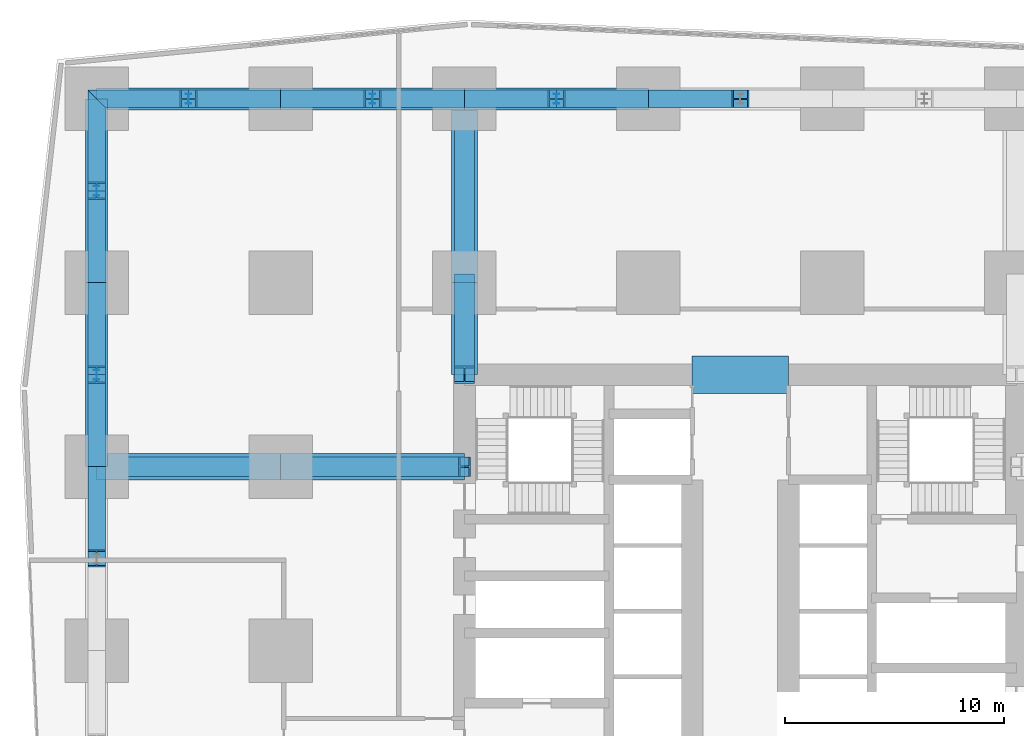
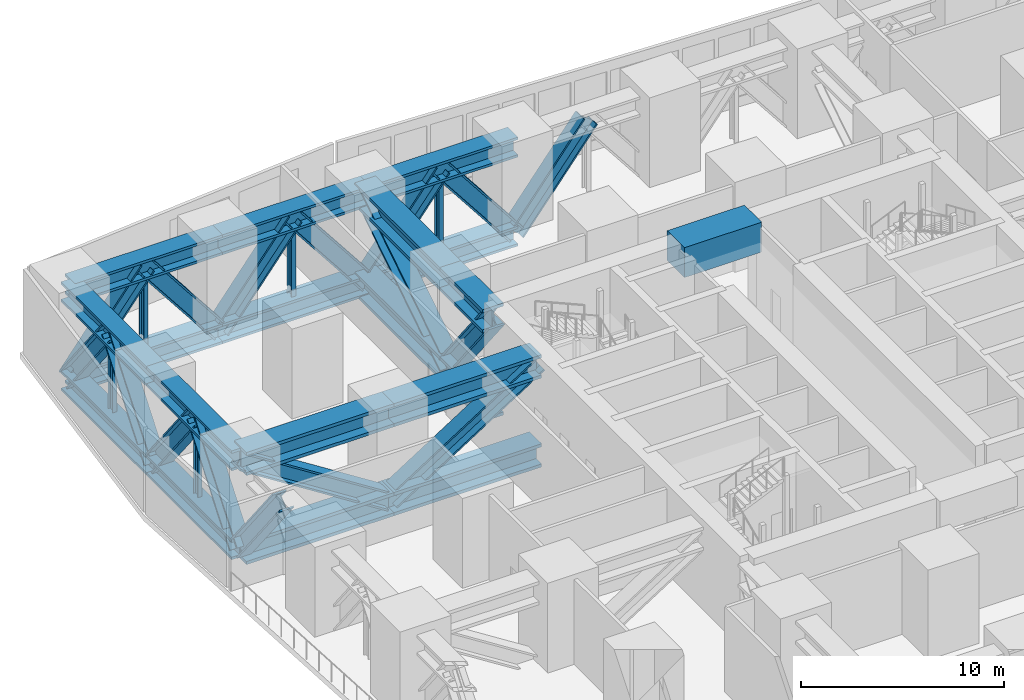
# One storey, part 6 of 16: 39 members, 1 beam.
"""IFC4 building model written with IfcOpenShell, lengths in metres."""

import ifcopenshell
import ifcopenshell.guid

model = None  # the IFC model being written
_history = None  # IfcOwnerHistory: only IFC2X3 demands one
_inside = {}  # id of a spatial element -> (the spatial element, [elements in it])
_under = {}  # id of a project, library or spatial element -> (it, [spatial elements below it])
_declared = {}  # id of a project -> (the project, [libraries it declares])
_typed = {}  # id of a type object -> (the type object, [elements of that type])
_made_of = {}  # id of a material, layer set ... -> (it, [elements and type objects made of it])


def new_model(schema):
    """Start an empty IFC model of exactly this schema.

    Asked for "IFC4X3", IfcOpenShell would pick the latest addendum, in which some entities
    have other attributes; the version numbers below select the first issue.
    IFC2X3 requires an IfcOwnerHistory on every rooted entity: one is made here for all.
    """
    global model, _history
    if schema == "IFC4X3":
        model = ifcopenshell.file(schema_version=(4, 3, 0, 0))
    else:
        model = ifcopenshell.file(schema=schema)
    _inside.clear()
    _under.clear()
    _declared.clear()
    _typed.clear()
    _made_of.clear()
    _history = None
    if model.schema == "IFC2X3":
        org = make("IfcOrganization", Name="unknown")
        user = make(
            "IfcPersonAndOrganization",
            ThePerson=make("IfcPerson", FamilyName="unknown"),
            TheOrganization=org,
        )
        app = make(
            "IfcApplication",
            ApplicationDeveloper=org,
            Version="unknown",
            ApplicationFullName="unknown",
            ApplicationIdentifier="unknown",
        )
        _history = make(
            "IfcOwnerHistory",
            OwningUser=user,
            OwningApplication=app,
            ChangeAction="ADDED",
            CreationDate=0,
        )
    return model


def make(cls, **values):
    """One entity of the class cls with the attributes given. An attribute that is None is left unset."""
    return model.create_entity(
        cls, **{name: value for name, value in values.items() if value is not None}
    )


def rooted(cls, **values):
    """An entity with a GlobalId (a new one), such as an element, a storey or a relation."""
    return make(cls, GlobalId=ifcopenshell.guid.new(), OwnerHistory=_history, **values)


def si_unit(unit_type, name, prefix=None):
    """IfcSIUnit, for example si_unit("LENGTHUNIT", "METRE", prefix="MILLI")."""
    return make("IfcSIUnit", UnitType=unit_type, Prefix=prefix, Name=name)


def assignment(units):
    """IfcUnitAssignment: the units of a project."""
    return None if units is None else make("IfcUnitAssignment", Units=units)


def point(xyz):
    """IfcCartesianPoint."""
    return None if xyz is None else make("IfcCartesianPoint", Coordinates=xyz)


def direction(xyz):
    """IfcDirection."""
    return None if xyz is None else make("IfcDirection", DirectionRatios=xyz)


def frame(location, z_axis=None, x_axis=None):
    """IfcAxis2Placement3D, a coordinate frame: its origin and axes. An axis left out is left unset."""
    return make(
        "IfcAxis2Placement3D",
        Location=point(location),
        Axis=direction(z_axis),
        RefDirection=direction(x_axis),
    )


def frame_2d(location, x_axis=None):
    """IfcAxis2Placement2D, a coordinate frame in the plane: its origin and x axis."""
    return make(
        "IfcAxis2Placement2D", Location=point(location), RefDirection=direction(x_axis)
    )


def origin():
    """The frame at (0, 0, 0) with its axes left unset."""
    return frame((0.0, 0.0, 0.0))


def origin_2d():
    """The frame at (0, 0) in the plane with its x axis left unset."""
    return frame_2d((0.0, 0.0))


def place(relative_to, where):
    """IfcLocalPlacement: puts the frame where relative to a parent placement (None: the world)."""
    return make(
        "IfcLocalPlacement", PlacementRelTo=relative_to, RelativePlacement=where
    )


def context(
    kind, dimensions, precision=None, world=None, true_north=None, identifier=None
):
    """IfcGeometricRepresentationContext, for example the 3D "Model" context."""
    return make(
        "IfcGeometricRepresentationContext",
        ContextIdentifier=identifier,
        ContextType=kind,
        CoordinateSpaceDimension=dimensions,
        Precision=precision,
        WorldCoordinateSystem=world,
        TrueNorth=true_north,
    )


def subcontext(parent, identifier, kind, view, scale=None):
    """IfcGeometricRepresentationSubContext, for example "Body" below "Model"."""
    return make(
        "IfcGeometricRepresentationSubContext",
        ContextIdentifier=identifier,
        ContextType=kind,
        ParentContext=parent,
        TargetScale=scale,
        TargetView=view,
    )


def project(units=None, contexts=None):
    """IfcProject with its units and contexts."""
    return rooted(
        "IfcProject",
        Name="project",
        RepresentationContexts=contexts,
        UnitsInContext=assignment(units),
    )


def spatial(cls, under=None, at=None, **own):
    """A site, building, storey or space (cls), placed at a placement, below another one or the project."""
    s = rooted(cls, ObjectPlacement=at, **own)
    if under is not None:
        _under.setdefault(under.id(), (under, []))[1].append(s)
    return s


def profile(cls, at=None, kind="AREA", **sizes):
    """A parametric profile (cls). Its sizes go by their IFC names, for example OverallWidth=200.0."""
    return make(cls, ProfileType=kind, Position=at, **sizes)


def rectangle(**sizes):
    """IfcRectangleProfileDef."""
    return profile("IfcRectangleProfileDef", **sizes)


def i_section(**sizes):
    """IfcIShapeProfileDef."""
    return profile("IfcIShapeProfileDef", **sizes)


def extrude(swept, where, along, depth):
    """IfcExtrudedAreaSolid: the profile swept, set in the frame where, extruded along a direction by depth."""
    return make(
        "IfcExtrudedAreaSolid",
        SweptArea=swept,
        Position=where,
        ExtrudedDirection=direction(along),
        Depth=depth,
    )


def shape(context_of_items, identifier, shape_type, items):
    """IfcShapeRepresentation: the items that make up one representation, for example the "Body"."""
    return make(
        "IfcShapeRepresentation",
        ContextOfItems=context_of_items,
        RepresentationIdentifier=identifier,
        RepresentationType=shape_type,
        Items=items,
    )


def material(Name=None, Category=None):
    """IfcMaterial."""
    return make("IfcMaterial", Name=Name, Category=Category)


def material_profile(
    of_material, cross_section, Name=None, Category=None, Priority=None
):
    """IfcMaterialProfile: a cross section and its material."""
    return make(
        "IfcMaterialProfile",
        Name=Name,
        Material=of_material,
        Profile=cross_section,
        Priority=Priority,
        Category=Category,
    )


def profile_set(profiles, Name=None, composite=None):
    """IfcMaterialProfileSet."""
    return make(
        "IfcMaterialProfileSet",
        Name=Name,
        MaterialProfiles=profiles,
        CompositeProfile=composite,
    )


def made_of(thing, what):
    """Note that an element or type object is made of a material, layer set ...; save() writes the relation."""
    if what is not None:
        _made_of.setdefault(what.id(), (what, []))[1].append(thing)
    return thing


def type_object(cls, material=None, **own):
    """A type object (cls), such as IfcWallType, which elements share."""
    return made_of(rooted(cls, **own), material)


def element(
    cls,
    number,
    at=None,
    inside=None,
    cuts=None,
    type_object=None,
    material=None,
    context=None,
    identifier="Body",
    shape_type=None,
    held_by="IfcProductDefinitionShape",
    body=None,
    shapes=None,
    **own,
):
    """One element of the class cls, such as IfcWall. Its Tag is "e" and its number.

    at: its placement. inside: the storey or other place that contains it. cuts: it is an
    opening in that element (IfcRelVoidsElement). A single representation is given by context,
    identifier, shape_type and body (its items); several are given by shapes. held_by: the class
    of the entity that holds the representations. save() writes the other relations.
    """
    e = rooted(cls, Tag="e%d" % number, ObjectPlacement=at, **own)
    if body is not None:
        shapes = [shape(context, identifier, shape_type, body)]
    if shapes is not None:
        e.Representation = make(held_by, Representations=shapes)
    if inside is not None:
        _inside.setdefault(inside.id(), (inside, []))[1].append(e)
    if cuts is not None:
        rooted(
            "IfcRelVoidsElement", RelatingBuildingElement=cuts, RelatedOpeningElement=e
        )
    if type_object is not None:
        _typed.setdefault(type_object.id(), (type_object, []))[1].append(e)
    return made_of(e, material)


def aggregate(whole, parts):
    """IfcRelAggregates: a whole, such as a stair, and the parts it consists of."""
    return rooted("IfcRelAggregates", RelatingObject=whole, RelatedObjects=parts)


def save(model, path):
    """Write the relations noted so far, then the file.

    IfcRelAggregates (storeys below a building ...), IfcRelContainedInSpatialStructure (elements
    in a storey), IfcRelDefinesByType, IfcRelAssociatesMaterial and IfcRelDeclares: one each for
    every whole, place, type object, material and project.
    """
    for whole, parts in _under.values():
        aggregate(whole, parts)
    for where, things in _inside.values():
        rooted(
            "IfcRelContainedInSpatialStructure",
            RelatedElements=things,
            RelatingStructure=where,
        )
    for kind, things in _typed.values():
        rooted("IfcRelDefinesByType", RelatedObjects=things, RelatingType=kind)
    for what, things in _made_of.values():
        rooted("IfcRelAssociatesMaterial", RelatedObjects=things, RelatingMaterial=what)
    for by, libraries in _declared.values():
        rooted("IfcRelDeclares", RelatingContext=by, RelatedDefinitions=libraries)
    model.write(path)


model = new_model("IFC4")

# Units and contexts
model_context = context("Model", 3, precision=1e-05, world=origin(), true_north=direction((0.0, 1.0)))
body_context = subcontext(model_context, "Body", "Model", "MODEL_VIEW")
ifc_project = project(units=[si_unit("LENGTHUNIT", "METRE"), si_unit("AREAUNIT", "SQUARE_METRE"), si_unit("VOLUMEUNIT", "CUBIC_METRE"), si_unit("PLANEANGLEUNIT", "RADIAN"), si_unit("MASSUNIT", "GRAM", prefix="KILO")], contexts=[model_context])

# Site, building, storey
site_placement = place(None, origin())
site = spatial("IfcSite", under=ifc_project, at=site_placement, CompositionType="ELEMENT")
building_placement = place(site_placement, origin())
building = spatial("IfcBuilding", under=site, at=building_placement, Name="Rekha Terrace Tower", CompositionType="ELEMENT")
storey_placement = place(building_placement, frame((0.0, 0.0, 85.39990234375)))
storey = spatial("IfcBuildingStorey", under=building, at=storey_placement, Name="L21", CompositionType="ELEMENT", Elevation=85.39990234375)

# Members
ifc_material_1 = material(Name="Steel E350", Category="steel")
ifc_material_profile_1 = material_profile(ifc_material_1, i_section(OverallWidth=1.0, OverallDepth=1.199951171875, WebThickness=0.110107421875, FlangeThickness=0.14990234375, at=origin_2d()), Name="BU 1200x1000x110x150")
ifc_profile_set_1 = profile_set([ifc_material_profile_1], Name="Steel E350")
member_type_1 = type_object("IfcMemberType", Name="BC21 BU 1200x1000x110x150 belt truss chord", PredefinedType="CHORD", material=ifc_profile_set_1)
for number, where, z_axis, x_axis, name in (
    (1, (33.60009765625, 58.800048828125, 4.300048828125), (-1.0, 0.0, 0.0), (0.0, -1.0, 0.0), "Belt top chord 5H-4H L21"),
    (2, (33.60009765625, 58.800048828125, -1.0498046875), (-1.0, 0.0, 0.0), (0.0, -1.0, 0.0), "Belt bottom chord 5H-4H L21"),
):
    element("IfcMember", number, at=place(storey_placement, frame(where, z_axis=z_axis, x_axis=x_axis)), inside=storey, type_object=member_type_1, Name=name, PredefinedType="CHORD", context=body_context, shape_type="SweptSolid", body=[
        extrude(i_section(OverallWidth=1.0, OverallDepth=1.199951171875, WebThickness=0.110107421875, FlangeThickness=0.14990234375, at=origin_2d()), origin(), (0.0, 0.0, 1.0), 8.400146484375),
    ])
for number, where, z_axis, x_axis, name in (
    (3, (25.199951171875, 58.800048828125, 4.300048828125), (-1.0, 0.0, 0.0), (0.0, -1.0, 0.0), "Belt top chord 4H-3H L21"),
    (4, (25.199951171875, 58.800048828125, -1.0498046875), (-1.0, 0.0, 0.0), (0.0, -1.0, 0.0), "Belt bottom chord 4H-3H L21"),
):
    element("IfcMember", number, at=place(storey_placement, frame(where, z_axis=z_axis, x_axis=x_axis)), inside=storey, type_object=member_type_1, Name=name, PredefinedType="CHORD", context=body_context, shape_type="SweptSolid", body=[
        extrude(i_section(OverallWidth=1.0, OverallDepth=1.199951171875, WebThickness=0.110107421875, FlangeThickness=0.14990234375, at=origin_2d()), origin(), (0.0, 0.0, 1.0), 8.39990234375),
    ])
for number, where, z_axis, x_axis, name in (
    (5, (16.800048828125, 58.800048828125, 4.300048828125), (-1.0, 0.0, 0.0), (0.0, -1.0, 0.0), "Belt top chord 3H-2H L21"),
    (6, (16.800048828125, 58.800048828125, -1.0498046875), (-1.0, 0.0, 0.0), (0.0, -1.0, 0.0), "Belt bottom chord 3H-2H L21"),
    (7, (8.39990234375, 58.800048828125, 4.300048828125), (0.0, -1.0, 0.0), (1.0, 0.0, 0.0), "Belt top chord 2H-2G L21"),
    (8, (8.39990234375, 58.800048828125, -1.0498046875), (0.0, -1.0, 0.0), (1.0, 0.0, 0.0), "Belt bottom chord 2H-2G L21"),
):
    element("IfcMember", number, at=place(storey_placement, frame(where, z_axis=z_axis, x_axis=x_axis)), inside=storey, type_object=member_type_1, Name=name, PredefinedType="CHORD", context=body_context, shape_type="SweptSolid", body=[
        extrude(i_section(OverallWidth=1.0, OverallDepth=1.199951171875, WebThickness=0.110107421875, FlangeThickness=0.14990234375, at=origin_2d()), origin(), (0.0, 0.0, 1.0), 8.400146484375),
    ])
for number, where, z_axis, x_axis, name in (
    (9, (8.39990234375, 50.39990234375, 4.300048828125), (0.0, -1.0, 0.0), (1.0, 0.0, 0.0), "Belt top chord 2G-2F L21"),
    (10, (8.39990234375, 50.39990234375, -1.0498046875), (0.0, -1.0, 0.0), (1.0, 0.0, 0.0), "Belt bottom chord 2G-2F L21"),
):
    element("IfcMember", number, at=place(storey_placement, frame(where, z_axis=z_axis, x_axis=x_axis)), inside=storey, type_object=member_type_1, Name=name, PredefinedType="CHORD", context=body_context, shape_type="SweptSolid", body=[
        extrude(i_section(OverallWidth=1.0, OverallDepth=1.199951171875, WebThickness=0.110107421875, FlangeThickness=0.14990234375, at=origin_2d()), origin(), (0.0, 0.0, 1.0), 8.39990234375),
    ])
ifc_material_profile_2 = material_profile(ifc_material_1, i_section(OverallWidth=0.800048828125, OverallDepth=1.0, WebThickness=0.050048828125, FlangeThickness=0.090087890625, at=origin_2d()), Name="BU 1000x800x50x90")
ifc_profile_set_2 = profile_set([ifc_material_profile_2], Name="Steel E350")
member_type_2 = type_object("IfcMemberType", Name="BD21 BU 1000x800x50x90 belt truss diagonal", PredefinedType="BRACE", material=ifc_profile_set_2)
member_1_placement = place(storey_placement, frame((33.60009765625, 58.800048828125, -1.0498046875), z_axis=(0.617502861702, 0.0, 0.786568633871), x_axis=(0.0, 1.0, 0.0)))
element("IfcMember", 11, at=member_1_placement, inside=storey, type_object=member_type_2, Name="Belt diagonal 6H-5H L21", PredefinedType="BRACE", context=body_context, shape_type="SweptSolid", body=[
    extrude(i_section(OverallWidth=0.800048828125, OverallDepth=1.0, WebThickness=0.050048828125, FlangeThickness=0.090087890625, at=origin_2d()), origin(), (0.0, 0.0, 1.0), 6.801513671875),
])
member_2_placement = place(storey_placement, frame((33.60009765625, 58.800048828125, -1.0498046875), z_axis=(-0.617525068892, 0.0, 0.786551199408), x_axis=(0.0, -1.0, 0.0)))
element("IfcMember", 12, at=member_2_placement, inside=storey, type_object=member_type_2, Name="Belt diagonal 5H-4H L21", PredefinedType="BRACE", context=body_context, shape_type="SweptSolid", body=[
    extrude(i_section(OverallWidth=0.800048828125, OverallDepth=1.0, WebThickness=0.050048828125, FlangeThickness=0.090087890625, at=origin_2d()), origin(), (0.0, 0.0, 1.0), 6.8017578125),
])
for number, where, z_axis, x_axis, name in (
    (13, (25.199951171875, 58.800048828125, -1.0498046875), (0.617502861702, 0.0, 0.786568633871), (0.0, 1.0, 0.0), "Belt diagonal 5H-4H L21"),
    (14, (25.199951171875, 58.800048828125, -1.0498046875), (-0.617502861702, 0.0, 0.786568633871), (0.0, -1.0, 0.0), "Belt diagonal 4H-3H L21"),
    (15, (16.800048828125, 58.800048828125, -1.0498046875), (0.617502861702, 0.0, 0.786568633871), (0.0, 1.0, 0.0), "Belt diagonal 4H-3H L21"),
    (16, (16.800048828125, 58.800048828125, -1.0498046875), (-0.617502861702, 0.0, 0.786568633871), (0.0, -1.0, 0.0), "Belt diagonal 3H-2H L21"),
):
    element("IfcMember", number, at=place(storey_placement, frame(where, z_axis=z_axis, x_axis=x_axis)), inside=storey, type_object=member_type_2, Name=name, PredefinedType="BRACE", context=body_context, shape_type="SweptSolid", body=[
        extrude(i_section(OverallWidth=0.800048828125, OverallDepth=1.0, WebThickness=0.050048828125, FlangeThickness=0.090087890625, at=origin_2d()), origin(), (0.0, 0.0, 1.0), 6.801513671875),
    ])
member_3_placement = place(storey_placement, frame((8.39990234375, 58.800048828125, -1.0498046875), z_axis=(0.617525068892, 0.0, 0.786551199408), x_axis=(0.0, 1.0, 0.0)))
element("IfcMember", 17, at=member_3_placement, inside=storey, type_object=member_type_2, Name="Belt diagonal 3H-2H L21", PredefinedType="BRACE", context=body_context, shape_type="SweptSolid", body=[
    extrude(i_section(OverallWidth=0.800048828125, OverallDepth=1.0, WebThickness=0.050048828125, FlangeThickness=0.090087890625, at=origin_2d()), origin(), (0.0, 0.0, 1.0), 6.8017578125),
])
member_4_placement = place(storey_placement, frame((8.39990234375, 58.800048828125, -1.0498046875), z_axis=(0.0, -0.617502861702, 0.786568633871), x_axis=(1.0, 0.0, 0.0)))
element("IfcMember", 18, at=member_4_placement, inside=storey, type_object=member_type_2, Name="Belt diagonal 2H-2G L21", PredefinedType="BRACE", context=body_context, shape_type="SweptSolid", body=[
    extrude(i_section(OverallWidth=0.800048828125, OverallDepth=1.0, WebThickness=0.050048828125, FlangeThickness=0.090087890625, at=origin_2d()), origin(), (0.0, 0.0, 1.0), 6.801513671875),
])
member_5_placement = place(storey_placement, frame((8.39990234375, 50.39990234375, -1.0498046875), z_axis=(0.0, 0.617525068892, 0.786551199408), x_axis=(-1.0, 0.0, 0.0)))
element("IfcMember", 19, at=member_5_placement, inside=storey, type_object=member_type_2, Name="Belt diagonal 2H-2G L21", PredefinedType="BRACE", context=body_context, shape_type="SweptSolid", body=[
    extrude(i_section(OverallWidth=0.800048828125, OverallDepth=1.0, WebThickness=0.050048828125, FlangeThickness=0.090087890625, at=origin_2d()), origin(), (0.0, 0.0, 1.0), 6.8017578125),
])
for number, where, z_axis, x_axis, name in (
    (20, (8.39990234375, 50.39990234375, -1.0498046875), (0.0, -0.617502861702, 0.786568633871), (1.0, 0.0, 0.0), "Belt diagonal 2G-2F L21"),
    (21, (8.39990234375, 42.0, -1.0498046875), (0.0, 0.617502861702, 0.786568633871), (-1.0, 0.0, 0.0), "Belt diagonal 2G-2F L21"),
    (22, (8.39990234375, 42.0, -1.0498046875), (0.0, -0.617502861702, 0.786568633871), (1.0, 0.0, 0.0), "Belt diagonal 2F-2E L21"),
):
    element("IfcMember", number, at=place(storey_placement, frame(where, z_axis=z_axis, x_axis=x_axis)), inside=storey, type_object=member_type_2, Name=name, PredefinedType="BRACE", context=body_context, shape_type="SweptSolid", body=[
        extrude(i_section(OverallWidth=0.800048828125, OverallDepth=1.0, WebThickness=0.050048828125, FlangeThickness=0.090087890625, at=origin_2d()), origin(), (0.0, 0.0, 1.0), 6.801513671875),
    ])
ifc_material_profile_3 = material_profile(ifc_material_1, i_section(OverallWidth=0.25, OverallDepth=0.449951171875, WebThickness=0.01123046875, FlangeThickness=0.017333984375, FilletRadius=0.014892578125, at=origin_2d()), Name="ISHB 450")
ifc_profile_set_3 = profile_set([ifc_material_profile_3], Name="Steel E350")
member_type_3 = type_object("IfcMemberType", Name="BV21 ISHB 450 belt truss post", PredefinedType="POST", material=ifc_profile_set_3)
for number, where, z_axis, x_axis, name in (
    (23, (29.39990234375, 58.800048828125, -0.449951171875), (0.0, 0.0, 1.0), (1.0, 0.0, 0.0), "Belt post 5H-4H L21"),
    (24, (21.0, 58.800048828125, -0.449951171875), (0.0, 0.0, 1.0), (1.0, 0.0, 0.0), "Belt post 4H-3H L21"),
    (25, (12.60009765625, 58.800048828125, -0.449951171875), (0.0, 0.0, 1.0), (1.0, 0.0, 0.0), "Belt post 3H-2H L21"),
    (26, (8.39990234375, 54.60009765625, -0.449951171875), (0.0, 0.0, 1.0), (1.0, 0.0, 0.0), "Belt post 2H-2G L21"),
    (27, (8.39990234375, 46.199951171875, -0.449951171875), (0.0, 0.0, 1.0), (1.0, 0.0, 0.0), "Belt post 2G-2F L21"),
):
    element("IfcMember", number, at=place(storey_placement, frame(where, z_axis=z_axis, x_axis=x_axis)), inside=storey, type_object=member_type_3, Name=name, PredefinedType="POST", context=body_context, shape_type="SweptSolid", body=[
        extrude(i_section(OverallWidth=0.25, OverallDepth=0.449951171875, WebThickness=0.01123046875, FlangeThickness=0.017333984375, FilletRadius=0.014892578125, at=origin_2d()), origin(), (0.0, 0.0, 1.0), 4.150146484375),
    ])

# Beam
ifc_material_2 = material(Name="Concrete M70", Category="concrete")
ifc_material_profile_4 = material_profile(ifc_material_2, rectangle(XDim=1.699951171875, YDim=1.800048828125, at=origin_2d()), Name="RC 1700x1800")
ifc_profile_set_4 = profile_set([ifc_material_profile_4], Name="Concrete M70")
beam_type = type_object("IfcBeamType", Name="LB2B 1700x1800 diagonally reinforced coupling beam", PredefinedType="LINTEL", material=ifc_profile_set_4)
beam_placement = place(storey_placement, frame((35.60009765625, 46.199951171875, 4.5), z_axis=(1.0, 0.0, 0.0), x_axis=(0.0, 1.0, 0.0)))
element("IfcBeam", 28, at=beam_placement, inside=storey, type_object=beam_type, Name="Coupling beam LB2B N L21", PredefinedType="LINTEL", context=body_context, shape_type="SweptSolid", body=[
    extrude(rectangle(XDim=1.699951171875, YDim=1.800048828125, at=origin_2d()), origin(), (0.0, 0.0, 1.0), 4.39990234375),
])

# Members
ifc_material_profile_5 = material_profile(ifc_material_1, i_section(OverallWidth=1.199951171875, OverallDepth=1.39990234375, WebThickness=0.139892578125, FlangeThickness=0.18994140625, at=origin_2d()), Name="BU 1400x1200x140x190")
ifc_profile_set_5 = profile_set([ifc_material_profile_5], Name="Steel E350")
member_type_4 = type_object("IfcMemberType", Name="OC21 BU 1400x1200x140x190 outrigger chord", PredefinedType="CHORD", material=ifc_profile_set_5)
for number, where, z_axis, x_axis, name in (
    (29, (25.199951171875, 42.0, 4.300048828125), (-1.0, 0.0, 0.0), (0.0, -1.0, 0.0), "Outrigger top chord WF-1 L21"),
    (30, (25.199951171875, 42.0, -1.0498046875), (-1.0, 0.0, 0.0), (0.0, -1.0, 0.0), "Outrigger bottom chord WF-1 L21"),
):
    element("IfcMember", number, at=place(storey_placement, frame(where, z_axis=z_axis, x_axis=x_axis)), inside=storey, type_object=member_type_4, Name=name, PredefinedType="CHORD", context=body_context, shape_type="SweptSolid", body=[
        extrude(i_section(OverallWidth=1.199951171875, OverallDepth=1.39990234375, WebThickness=0.139892578125, FlangeThickness=0.18994140625, at=origin_2d()), origin(), (0.0, 0.0, 1.0), 8.39990234375),
    ])
for number, where, z_axis, x_axis, name in (
    (31, (16.800048828125, 42.0, 4.300048828125), (-1.0, 0.0, 0.0), (0.0, -1.0, 0.0), "Outrigger top chord WF-2 L21"),
    (32, (16.800048828125, 42.0, -1.0498046875), (-1.0, 0.0, 0.0), (0.0, -1.0, 0.0), "Outrigger bottom chord WF-2 L21"),
):
    element("IfcMember", number, at=place(storey_placement, frame(where, z_axis=z_axis, x_axis=x_axis)), inside=storey, type_object=member_type_4, Name=name, PredefinedType="CHORD", context=body_context, shape_type="SweptSolid", body=[
        extrude(i_section(OverallWidth=1.199951171875, OverallDepth=1.39990234375, WebThickness=0.139892578125, FlangeThickness=0.18994140625, at=origin_2d()), origin(), (0.0, 0.0, 1.0), 8.400146484375),
    ])
for number, where, z_axis, x_axis, name in (
    (33, (25.199951171875, 46.199951171875, 4.300048828125), (0.0, 1.0, 0.0), (-1.0, 0.0, 0.0), "Outrigger top chord N4-1 L21"),
    (34, (25.199951171875, 46.199951171875, -1.0498046875), (0.0, 1.0, 0.0), (-1.0, 0.0, 0.0), "Outrigger bottom chord N4-1 L21"),
):
    element("IfcMember", number, at=place(storey_placement, frame(where, z_axis=z_axis, x_axis=x_axis)), inside=storey, type_object=member_type_4, Name=name, PredefinedType="CHORD", context=body_context, shape_type="SweptSolid", body=[
        extrude(i_section(OverallWidth=1.199951171875, OverallDepth=1.39990234375, WebThickness=0.139892578125, FlangeThickness=0.18994140625, at=origin_2d()), origin(), (0.0, 0.0, 1.0), 4.199951171875),
    ])
for number, where, z_axis, x_axis, name in (
    (35, (25.199951171875, 50.39990234375, 4.300048828125), (0.0, 1.0, 0.0), (-1.0, 0.0, 0.0), "Outrigger top chord N4-2 L21"),
    (36, (25.199951171875, 50.39990234375, -1.0498046875), (0.0, 1.0, 0.0), (-1.0, 0.0, 0.0), "Outrigger bottom chord N4-2 L21"),
):
    element("IfcMember", number, at=place(storey_placement, frame(where, z_axis=z_axis, x_axis=x_axis)), inside=storey, type_object=member_type_4, Name=name, PredefinedType="CHORD", context=body_context, shape_type="SweptSolid", body=[
        extrude(i_section(OverallWidth=1.199951171875, OverallDepth=1.39990234375, WebThickness=0.139892578125, FlangeThickness=0.18994140625, at=origin_2d()), origin(), (0.0, 0.0, 1.0), 8.400146484375),
    ])
ifc_material_profile_6 = material_profile(ifc_material_1, i_section(OverallWidth=0.89990234375, OverallDepth=1.0, WebThickness=0.06005859375, FlangeThickness=0.10009765625, at=origin_2d()), Name="BU 1000x900x60x100")
ifc_profile_set_6 = profile_set([ifc_material_profile_6], Name="Steel E350")
member_type_5 = type_object("IfcMemberType", Name="OD21 BU 1000x900x60x100 outrigger diagonal", PredefinedType="BRACE", material=ifc_profile_set_6)
for number, where, z_axis, x_axis, name in (
    (37, (25.199951171875, 42.0, 4.300048828125), (-0.843458530905, 0.0, -0.537194291336), (0.0, -1.0, 0.0), "Outrigger diagonal WF-1 L21"),
    (38, (16.800048828125, 42.0, -1.0498046875), (-0.843465605129, 0.0, 0.537183183806), (0.0, -1.0, 0.0), "Outrigger diagonal WF-2 L21"),
):
    element("IfcMember", number, at=place(storey_placement, frame(where, z_axis=z_axis, x_axis=x_axis)), inside=storey, type_object=member_type_5, Name=name, PredefinedType="BRACE", context=body_context, shape_type="SweptSolid", body=[
        extrude(i_section(OverallWidth=0.89990234375, OverallDepth=1.0, WebThickness=0.06005859375, FlangeThickness=0.10009765625, at=origin_2d()), origin(), (0.0, 0.0, 1.0), 9.958984375),
    ])
member_6_placement = place(storey_placement, frame((25.199951171875, 46.199951171875, 4.300048828125), z_axis=(0.0, 0.617502861702, -0.786568633871), x_axis=(-1.0, 0.0, 0.0)))
element("IfcMember", 39, at=member_6_placement, inside=storey, type_object=member_type_5, Name="Outrigger diagonal N4-1 L21", PredefinedType="BRACE", context=body_context, shape_type="SweptSolid", body=[
    extrude(i_section(OverallWidth=0.89990234375, OverallDepth=1.0, WebThickness=0.06005859375, FlangeThickness=0.10009765625, at=origin_2d()), origin(), (0.0, 0.0, 1.0), 6.801513671875),
])
member_7_placement = place(storey_placement, frame((25.199951171875, 50.39990234375, -1.0498046875), z_axis=(0.0, 0.843465605129, 0.537183183806), x_axis=(-1.0, 0.0, 0.0)))
element("IfcMember", 40, at=member_7_placement, inside=storey, type_object=member_type_5, Name="Outrigger diagonal N4-2 L21", PredefinedType="BRACE", context=body_context, shape_type="SweptSolid", body=[
    extrude(i_section(OverallWidth=0.89990234375, OverallDepth=1.0, WebThickness=0.06005859375, FlangeThickness=0.10009765625, at=origin_2d()), origin(), (0.0, 0.0, 1.0), 9.958984375),
])

save(model, "model.ifc")
